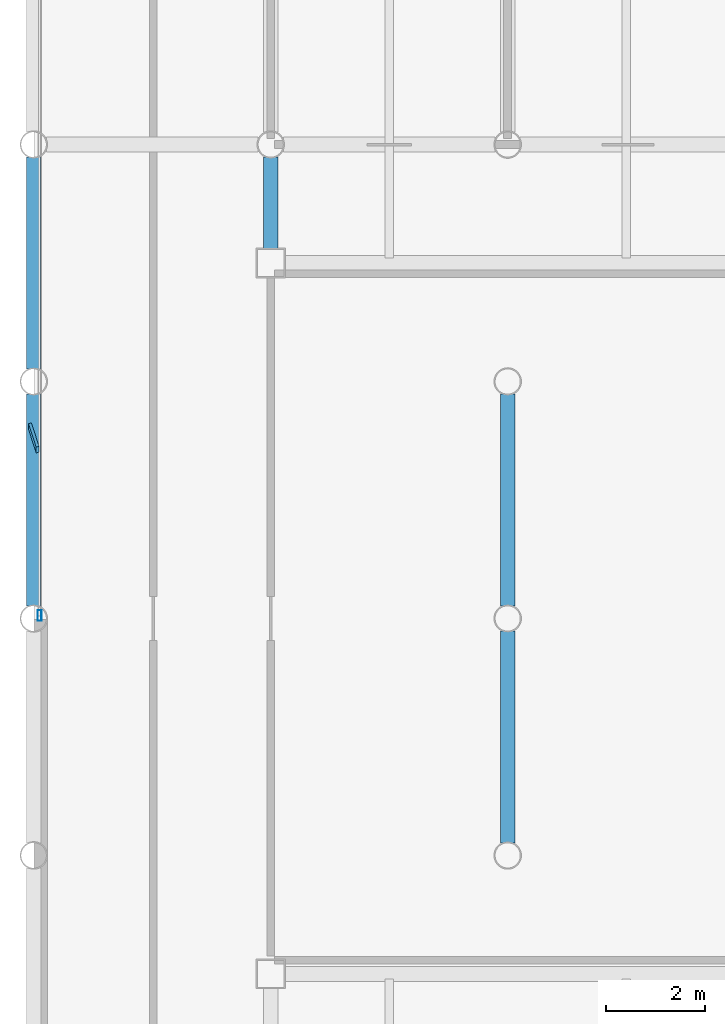
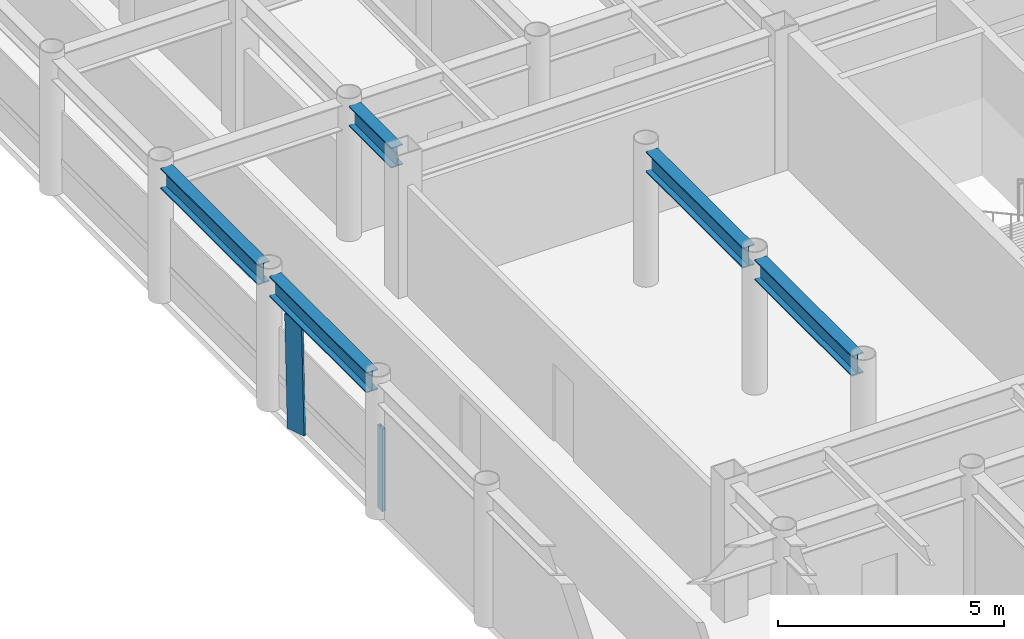
# One storey, part 6 of 22: 5 beams, 2 members, 1 element without a shape of its own.
"""IFC4 building model written with IfcOpenShell, lengths in metres."""

from ifc_helpers import new_model, si_unit, direction, frame, origin, origin_2d, place, context, subcontext, project, spatial, rectangle, hollow_rectangle, i_section, extrude, material, layer, layer_set, material_profile, profile_set, type_object, element, aggregate, save


model = new_model("IFC4")

# Units and contexts
model_context = context("Model", 3, precision=1e-05, world=origin(), true_north=direction((0.0, 1.0)))
body_context = subcontext(model_context, "Body", "Model", "MODEL_VIEW")
ifc_project = project(units=[si_unit("LENGTHUNIT", "METRE"), si_unit("AREAUNIT", "SQUARE_METRE"), si_unit("VOLUMEUNIT", "CUBIC_METRE"), si_unit("PLANEANGLEUNIT", "RADIAN"), si_unit("MASSUNIT", "GRAM", prefix="KILO")], contexts=[model_context])

# Site, building, storey
site_placement = place(None, origin())
site = spatial("IfcSite", under=ifc_project, at=site_placement, CompositionType="ELEMENT")
building_placement = place(site_placement, origin())
building = spatial("IfcBuilding", under=site, at=building_placement, Name="Kallvorn Hotel Tower", CompositionType="ELEMENT")
storey_placement = place(building_placement, frame((0.0, 0.0, 241.550048828125)))
storey = spatial("IfcBuildingStorey", under=building, at=storey_placement, Name="L60", CompositionType="ELEMENT", Elevation=241.550048828125)

# Beams
ifc_material_1 = material(Name="Structural steel S355JR", Category="steel")
ifc_material_profile_1 = material_profile(ifc_material_1, i_section(OverallWidth=0.300048828125, OverallDepth=0.550048828125, WebThickness=0.014892578125, FlangeThickness=0.029052734375, at=origin_2d()), Name="HE 550 B")
ifc_profile_set_1 = profile_set([ifc_material_profile_1], Name="Structural steel S355JR")
beam_type = type_object("IfcBeamType", Name="BM_HE550B", PredefinedType="SPANDREL", material=ifc_profile_set_1)
for number, where, z_axis, x_axis, name in (
    (1, (-28.800048828125, 0.25439453125, 3.39501953125), (0.0, 1.0, 0.0), (-1.0, 0.0, 0.0), "L61 Primary Y-Girder 77"),
    (2, (-28.800048828125, 5.054443359375, 3.39501953125), (0.0, 1.0, 0.0), (-1.0, 0.0, 0.0), "L61 Primary Y-Girder 78"),
):
    element("IfcBeam", number, at=place(storey_placement, frame(where, z_axis=z_axis, x_axis=x_axis)), inside=storey, type_object=beam_type, Name=name, PredefinedType="SPANDREL", context=body_context, shape_type="SweptSolid", body=[
        extrude(i_section(OverallWidth=0.300048828125, OverallDepth=0.550048828125, WebThickness=0.014892578125, FlangeThickness=0.029052734375, at=origin_2d()), origin(), (0.0, 0.0, 1.0), 4.291015625),
    ])
beam_placement = place(storey_placement, frame((-24.0, 7.47509765625, 3.39501953125), z_axis=(0.0, 1.0, 0.0), x_axis=(-1.0, 0.0, 0.0)))
element("IfcBeam", 3, at=beam_placement, inside=storey, type_object=beam_type, Name="L61 Primary Y-Girder 84", PredefinedType="SPANDREL", context=body_context, shape_type="SweptSolid", body=[
    extrude(i_section(OverallWidth=0.300048828125, OverallDepth=0.550048828125, WebThickness=0.014892578125, FlangeThickness=0.029052734375, at=origin_2d()), origin(), (0.0, 0.0, 1.0), 1.870361328125),
])
for number, where, z_axis, x_axis, name in (
    (4, (-19.199951171875, -4.54541015625, 3.39501953125), (0.0, 1.0, 0.0), (-1.0, 0.0, 0.0), "L61 Primary Y-Girder 91"),
    (5, (-19.199951171875, 0.25439453125, 3.39501953125), (0.0, 1.0, 0.0), (-1.0, 0.0, 0.0), "L61 Primary Y-Girder 92"),
):
    element("IfcBeam", number, at=place(storey_placement, frame(where, z_axis=z_axis, x_axis=x_axis)), inside=storey, type_object=beam_type, Name=name, PredefinedType="SPANDREL", context=body_context, shape_type="SweptSolid", body=[
        extrude(i_section(OverallWidth=0.300048828125, OverallDepth=0.550048828125, WebThickness=0.014892578125, FlangeThickness=0.029052734375, at=origin_2d()), origin(), (0.0, 0.0, 1.0), 4.291015625),
    ])

# Curtain wall, member
ifc_material_2 = material(Name="Thermally broken black-anodised aluminium AA 6063-T6", Category="aluminium")
ifc_layer = layer(ifc_material_2, 0.22998046875)
ifc_layer_set = layer_set([ifc_layer], Name="CW_SYS_5_HOTEL_HIGH")
curtain_wall_type = type_object("IfcCurtainWallType", Name="CW_SYS_5_HOTEL_HIGH", PredefinedType="USERDEFINED", material=ifc_layer_set)
curtain_wall_placement = place(storey_placement, origin())
curtain_wall = element("IfcCurtainWall", 6, at=curtain_wall_placement, inside=storey, type_object=curtain_wall_type, Name="L60 Dark-Glass Curtain Wall CW-L60-WN", ObjectType="UNITISED CURTAIN WALL", PredefinedType="USERDEFINED")
ifc_material_3 = material(Name="Thermally broken black-anodised aluminium AA 6063-T6", Category="aluminium")
ifc_material_profile_2 = material_profile(ifc_material_3, hollow_rectangle(XDim=0.080078125, YDim=0.219970703125, WallThickness=0.0048828125, at=origin_2d()), Name="MUL 220x80")
ifc_profile_set_2 = profile_set([ifc_material_profile_2], Name="Thermally broken black-anodised aluminium AA 6063-T6")
member_type_1 = type_object("IfcMemberType", Name="CW_MULLION_220x80", PredefinedType="MULLION", material=ifc_profile_set_2)
member_1_placement = place(storey_placement, frame((-28.679931640625, 0.06005859375, 0.02001953125), z_axis=(0.0, 0.0, 1.0), x_axis=(1.0, 0.0, 0.0)))
member_1 = element("IfcMember", 7, at=member_1_placement, type_object=member_type_1, Name="CW-L60-WN Mullion 00", PredefinedType="MULLION", context=body_context, shape_type="SweptSolid", body=[
    extrude(hollow_rectangle(XDim=0.080078125, YDim=0.219970703125, WallThickness=0.0048828125, at=origin_2d()), origin(), (0.0, 0.0, 1.0), 2.22998046875),
])
aggregate(curtain_wall, [member_1])

# Member
ifc_material_4 = material(Name="Thermally broken black-anodised aluminium AA 6063-T6", Category="aluminium")
ifc_material_profile_3 = material_profile(ifc_material_4, rectangle(XDim=0.06005859375, YDim=0.5, at=origin_2d()), Name="FIN 500x60")
ifc_profile_set_3 = profile_set([ifc_material_profile_3], Name="Thermally broken black-anodised aluminium AA 6063-T6")
member_type_2 = type_object("IfcMemberType", Name="MBR_SUNSHADE_FIN", PredefinedType="USERDEFINED", material=ifc_profile_set_3)
member_2_placement = place(storey_placement, frame((-28.800048828125, 3.60009765625, 0.0), z_axis=(0.0, 0.038935691859, 0.999241718454), x_axis=(-0.951056516295, -0.308782672491, 0.012031790472)))
element("IfcMember", 8, at=member_2_placement, inside=storey, type_object=member_type_2, Name="L60 Angled Vertical Sunshade Fin W1", ObjectType="SUNSHADE FIN", PredefinedType="USERDEFINED", context=body_context, shape_type="SweptSolid", body=[
    extrude(rectangle(XDim=0.06005859375, YDim=0.5, at=origin_2d()), origin(), (0.0, 0.0, 1.0), 3.022216796875),
])

save(model, "model.ifc")
